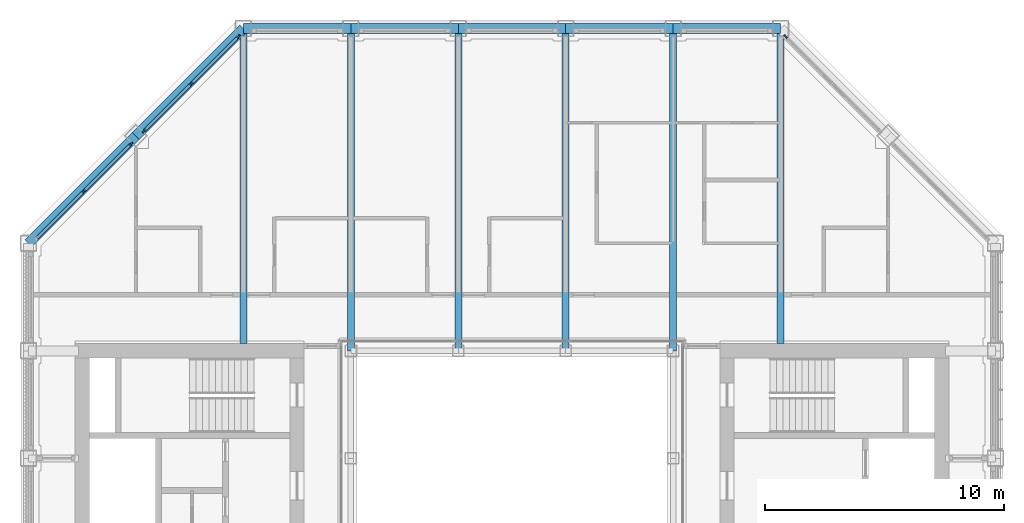
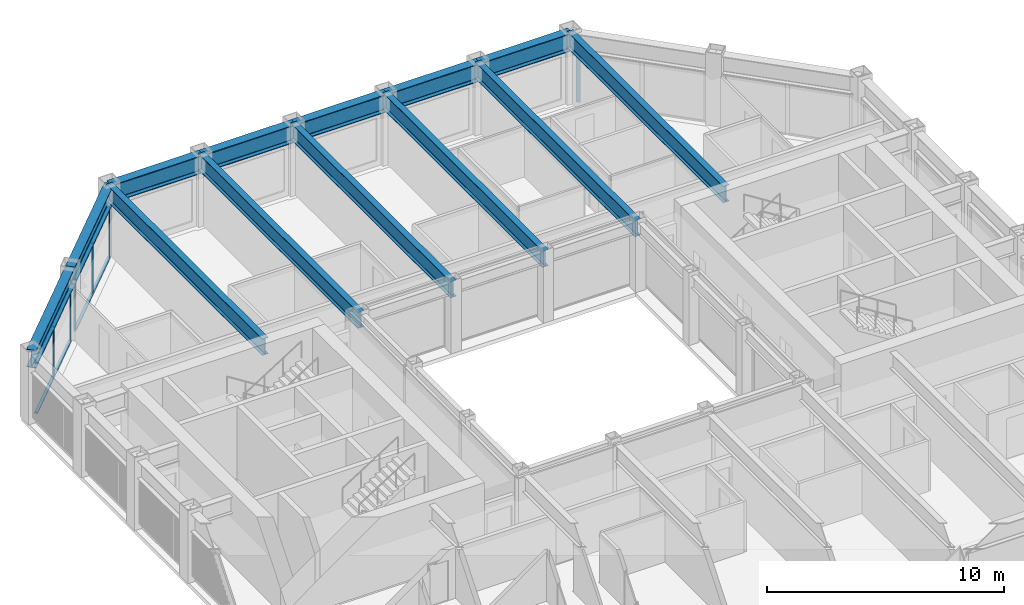
# One storey, part 6 of 18: 14 members, 13 beams, 3 elements without a shape of their own.
"""IFC4 building model written with IfcOpenShell, lengths in metres."""

from ifc_helpers import new_model, si_unit, direction, frame, origin, origin_2d, place, context, subcontext, project, spatial, rectangle, i_section, extrude, material, material_profile, profile_set, type_object, element, aggregate, save


model = new_model("IFC4")

# Units and contexts
model_context = context("Model", 3, precision=1e-05, world=origin(), true_north=direction((0.0, 1.0)))
body_context = subcontext(model_context, "Body", "Model", "MODEL_VIEW")
ifc_project = project(units=[si_unit("LENGTHUNIT", "METRE"), si_unit("AREAUNIT", "SQUARE_METRE"), si_unit("VOLUMEUNIT", "CUBIC_METRE"), si_unit("PLANEANGLEUNIT", "RADIAN"), si_unit("MASSUNIT", "GRAM", prefix="KILO")], contexts=[model_context])

# Site, building, storey
site_placement = place(None, origin())
site = spatial("IfcSite", under=ifc_project, at=site_placement, CompositionType="ELEMENT")
building_placement = place(site_placement, origin())
building = spatial("IfcBuilding", under=site, at=building_placement, Name="Msasa Ring Tower", CompositionType="ELEMENT")
storey_placement = place(building_placement, frame((0.0, 0.0, 223.300048828125)))
storey = spatial("IfcBuildingStorey", under=building, at=storey_placement, Name="L58", CompositionType="ELEMENT", Elevation=223.300048828125)

# Curtain wall, member
ifc_material_1 = material(Name="Aluminium curtain wall with clear glass", Category="aluminium")
curtain_wall_type = type_object("IfcCurtainWallType", Name="CW-C CHAMFER CORNER CURTAIN WALL", PredefinedType="NOTDEFINED", material=ifc_material_1)
curtain_wall_1_placement = place(storey_placement, origin())
curtain_wall_1 = element("IfcCurtainWall", 1, at=curtain_wall_1_placement, inside=storey, type_object=curtain_wall_type, Name="Chamfer corner curtain wall NE L58", PredefinedType="NOTDEFINED")
ifc_material_2 = material(Name="Aluminium mullion", Category="aluminium")
ifc_material_profile_1 = material_profile(ifc_material_2, rectangle(XDim=0.06494140625, YDim=0.179931640625, at=origin_2d()), Name="AL 65x180")
ifc_profile_set_1 = profile_set([ifc_material_profile_1], Name="Aluminium mullion")
member_type_1 = type_object("IfcMemberType", Name="CW-C MULLION 65x180", PredefinedType="MULLION", material=ifc_profile_set_1)
member_1_placement = place(storey_placement, frame((11.453369140625, 19.9052734375, 0.0), z_axis=(0.0, 0.0, 1.0), x_axis=(-0.707106781187, -0.707106781187, 0.0)))
member_1 = element("IfcMember", 2, at=member_1_placement, type_object=member_type_1, Name="CW-C mullion 3", PredefinedType="MULLION", context=body_context, shape_type="SweptSolid", body=[
    extrude(rectangle(XDim=0.06494140625, YDim=0.179931640625, at=origin_2d()), origin(), (0.0, 0.0, 1.0), 2.62890625),
])
aggregate(curtain_wall_1, [member_1])

# Curtain wall, members
curtain_wall_2_placement = place(storey_placement, origin())
curtain_wall_2 = element("IfcCurtainWall", 3, at=curtain_wall_2_placement, inside=storey, type_object=curtain_wall_type, Name="Chamfer corner curtain wall NW L58", PredefinedType="NOTDEFINED")
member_2_placement = place(storey_placement, frame((-15.953369140625, 15.4052734375, 0.0), z_axis=(0.0, 0.0, 1.0), x_axis=(0.707106781187, -0.707106781187, 0.0)))
member_2 = element("IfcMember", 4, at=member_2_placement, type_object=member_type_1, Name="CW-C mullion 1", PredefinedType="MULLION", context=body_context, shape_type="SweptSolid", body=[
    extrude(rectangle(XDim=0.06494140625, YDim=0.179931640625, at=origin_2d()), origin(), (0.0, 0.0, 1.0), 2.62890625),
])
member_3_placement = place(storey_placement, frame((-17.92919921875, 13.42919921875, 0.0), z_axis=(0.0, 0.0, 1.0), x_axis=(0.707106781187, -0.707106781187, 0.0)))
member_3 = element("IfcMember", 5, at=member_3_placement, type_object=member_type_1, Name="CW-C mullion 2", PredefinedType="MULLION", context=body_context, shape_type="SweptSolid", body=[
    extrude(rectangle(XDim=0.06494140625, YDim=0.179931640625, at=origin_2d()), origin(), (0.0, 0.0, 1.0), 2.62890625),
])

curtain_wall_3_placement = place(storey_placement, origin())
curtain_wall_3 = element("IfcCurtainWall", 6, at=curtain_wall_3_placement, inside=storey, type_object=curtain_wall_type, Name="Chamfer corner curtain wall NW L58", PredefinedType="NOTDEFINED")
member_4_placement = place(storey_placement, frame((-11.453369140625, 19.9052734375, 0.0), z_axis=(0.0, 0.0, 1.0), x_axis=(0.707106781187, -0.707106781187, 0.0)))
member_4 = element("IfcMember", 7, at=member_4_placement, type_object=member_type_1, Name="CW-C mullion 1", PredefinedType="MULLION", context=body_context, shape_type="SweptSolid", body=[
    extrude(rectangle(XDim=0.06494140625, YDim=0.179931640625, at=origin_2d()), origin(), (0.0, 0.0, 1.0), 2.62890625),
])
member_5_placement = place(storey_placement, frame((-13.42919921875, 17.92919921875, 0.0), z_axis=(0.0, 0.0, 1.0), x_axis=(0.707106781187, -0.707106781187, 0.0)))
member_5 = element("IfcMember", 8, at=member_5_placement, type_object=member_type_1, Name="CW-C mullion 2", PredefinedType="MULLION", context=body_context, shape_type="SweptSolid", body=[
    extrude(rectangle(XDim=0.06494140625, YDim=0.179931640625, at=origin_2d()), origin(), (0.0, 0.0, 1.0), 2.62890625),
])
member_6_placement = place(storey_placement, frame((-15.4052734375, 15.953369140625, 0.0), z_axis=(0.0, 0.0, 1.0), x_axis=(0.707106781187, -0.707106781187, 0.0)))
member_6 = element("IfcMember", 9, at=member_6_placement, type_object=member_type_1, Name="CW-C mullion 3", PredefinedType="MULLION", context=body_context, shape_type="SweptSolid", body=[
    extrude(rectangle(XDim=0.06494140625, YDim=0.179931640625, at=origin_2d()), origin(), (0.0, 0.0, 1.0), 2.62890625),
])

# Member
ifc_material_3 = material(Name="Aluminium transom", Category="aluminium")
ifc_material_profile_2 = material_profile(ifc_material_3, rectangle(XDim=0.139892578125, YDim=0.06494140625, at=origin_2d()), Name="AL 65x140")
ifc_profile_set_2 = profile_set([ifc_material_profile_2], Name="Aluminium transom")
member_type_2 = type_object("IfcMemberType", Name="CW-C TRANSOM 65x140", PredefinedType="USERDEFINED", material=ifc_profile_set_2)
member_7_placement = place(storey_placement, frame((-15.976318359375, 15.38232421875, 0.032470703125), z_axis=(-0.707106781187, -0.707106781187, 0.0), x_axis=(0.707106781187, -0.707106781187, 0.0)))
member_7 = element("IfcMember", 10, at=member_7_placement, type_object=member_type_2, Name="CW-C transom 1.1", ObjectType="TRANSOM", PredefinedType="USERDEFINED", context=body_context, shape_type="SweptSolid", body=[
    extrude(rectangle(XDim=0.139892578125, YDim=0.06494140625, at=origin_2d()), origin(), (0.0, 0.0, 1.0), 2.729248046875),
])

member_8_placement = place(storey_placement, frame((-15.976318359375, 15.38232421875, 2.596435546875), z_axis=(-0.707106781187, -0.707106781187, 0.0), x_axis=(0.707106781187, -0.707106781187, 0.0)))
member_8 = element("IfcMember", 11, at=member_8_placement, type_object=member_type_2, Name="CW-C transom 1.2", ObjectType="TRANSOM", PredefinedType="USERDEFINED", context=body_context, shape_type="SweptSolid", body=[
    extrude(rectangle(XDim=0.139892578125, YDim=0.06494140625, at=origin_2d()), origin(), (0.0, 0.0, 1.0), 2.729248046875),
])

member_9_placement = place(storey_placement, frame((-17.952392578125, 13.40625, 0.032470703125), z_axis=(-0.707106781187, -0.707106781187, 0.0), x_axis=(0.707106781187, -0.707106781187, 0.0)))
member_9 = element("IfcMember", 12, at=member_9_placement, type_object=member_type_2, Name="CW-C transom 2.1", ObjectType="TRANSOM", PredefinedType="USERDEFINED", context=body_context, shape_type="SweptSolid", body=[
    extrude(rectangle(XDim=0.139892578125, YDim=0.06494140625, at=origin_2d()), origin(), (0.0, 0.0, 1.0), 2.729248046875),
])

member_10_placement = place(storey_placement, frame((-17.952392578125, 13.40625, 2.596435546875), z_axis=(-0.707106781187, -0.707106781187, 0.0), x_axis=(0.707106781187, -0.707106781187, 0.0)))
member_10 = element("IfcMember", 13, at=member_10_placement, type_object=member_type_2, Name="CW-C transom 2.2", ObjectType="TRANSOM", PredefinedType="USERDEFINED", context=body_context, shape_type="SweptSolid", body=[
    extrude(rectangle(XDim=0.139892578125, YDim=0.06494140625, at=origin_2d()), origin(), (0.0, 0.0, 1.0), 2.729248046875),
])

aggregate(curtain_wall_2, [member_2, member_3, member_7, member_8, member_9, member_10])

member_11_placement = place(storey_placement, frame((-11.476318359375, 19.88232421875, 0.032470703125), z_axis=(-0.707106781187, -0.707106781187, 0.0), x_axis=(0.707106781187, -0.707106781187, 0.0)))
member_11 = element("IfcMember", 14, at=member_11_placement, type_object=member_type_2, Name="CW-C transom 1.1", ObjectType="TRANSOM", PredefinedType="USERDEFINED", context=body_context, shape_type="SweptSolid", body=[
    extrude(rectangle(XDim=0.139892578125, YDim=0.06494140625, at=origin_2d()), origin(), (0.0, 0.0, 1.0), 2.729248046875),
])

member_12_placement = place(storey_placement, frame((-11.476318359375, 19.88232421875, 2.596435546875), z_axis=(-0.707106781187, -0.707106781187, 0.0), x_axis=(0.707106781187, -0.707106781187, 0.0)))
member_12 = element("IfcMember", 15, at=member_12_placement, type_object=member_type_2, Name="CW-C transom 1.2", ObjectType="TRANSOM", PredefinedType="USERDEFINED", context=body_context, shape_type="SweptSolid", body=[
    extrude(rectangle(XDim=0.139892578125, YDim=0.06494140625, at=origin_2d()), origin(), (0.0, 0.0, 1.0), 2.729248046875),
])

member_13_placement = place(storey_placement, frame((-13.452392578125, 17.90625, 0.032470703125), z_axis=(-0.707106781187, -0.707106781187, 0.0), x_axis=(0.707106781187, -0.707106781187, 0.0)))
member_13 = element("IfcMember", 16, at=member_13_placement, type_object=member_type_2, Name="CW-C transom 2.1", ObjectType="TRANSOM", PredefinedType="USERDEFINED", context=body_context, shape_type="SweptSolid", body=[
    extrude(rectangle(XDim=0.139892578125, YDim=0.06494140625, at=origin_2d()), origin(), (0.0, 0.0, 1.0), 2.729248046875),
])

member_14_placement = place(storey_placement, frame((-13.452392578125, 17.90625, 2.596435546875), z_axis=(-0.707106781187, -0.707106781187, 0.0), x_axis=(0.707106781187, -0.707106781187, 0.0)))
member_14 = element("IfcMember", 17, at=member_14_placement, type_object=member_type_2, Name="CW-C transom 2.2", ObjectType="TRANSOM", PredefinedType="USERDEFINED", context=body_context, shape_type="SweptSolid", body=[
    extrude(rectangle(XDim=0.139892578125, YDim=0.06494140625, at=origin_2d()), origin(), (0.0, 0.0, 1.0), 2.729248046875),
])

aggregate(curtain_wall_3, [member_4, member_5, member_6, member_11, member_12, member_13, member_14])

# Beams
ifc_material_4 = material(Name="Steel S355", Category="steel")
ifc_material_profile_3 = material_profile(ifc_material_4, i_section(OverallWidth=0.293701171875, OverallDepth=0.850830078125, WebThickness=0.01611328125, FlangeThickness=0.02685546875, FilletRadius=0.017822265625, at=origin_2d()), Name="UB 838x292x226")
ifc_profile_set_3 = profile_set([ifc_material_profile_3], Name="Steel S355")
beam_type_1 = type_object("IfcBeamType", Name="FB5 UB 838x292x226", PredefinedType="BEAM", material=ifc_profile_set_3)
beam_1_placement = place(storey_placement, frame((-11.25, 20.25, 3.12451171875), z_axis=(0.0, -1.0, 0.0), x_axis=(1.0, 0.0, 0.0)))
element("IfcBeam", 18, at=beam_1_placement, inside=storey, type_object=beam_type_1, Name="Floor beam N-11.25 under L59", PredefinedType="BEAM", context=body_context, shape_type="SweptSolid", body=[
    extrude(i_section(OverallWidth=0.293701171875, OverallDepth=0.850830078125, WebThickness=0.01611328125, FlangeThickness=0.02685546875, FilletRadius=0.017822265625, at=origin_2d()), origin(), (0.0, 0.0, 1.0), 13.199951171875),
])
for number, where, z_axis, x_axis, name in (
    (19, (-6.75, 20.25, 3.12451171875), (0.0, -1.0, 0.0), (1.0, 0.0, 0.0), "Floor beam N-6.75 under L59"),
    (20, (-2.25, 20.25, 3.12451171875), (0.0, -1.0, 0.0), (1.0, 0.0, 0.0), "Floor beam N-2.25 under L59"),
    (21, (2.25, 20.25, 3.12451171875), (0.0, -1.0, 0.0), (1.0, 0.0, 0.0), "Floor beam N+2.25 under L59"),
    (22, (6.75, 20.25, 3.12451171875), (0.0, -1.0, 0.0), (1.0, 0.0, 0.0), "Floor beam N+6.75 under L59"),
):
    element("IfcBeam", number, at=place(storey_placement, frame(where, z_axis=z_axis, x_axis=x_axis)), inside=storey, type_object=beam_type_1, Name=name, PredefinedType="BEAM", context=body_context, shape_type="SweptSolid", body=[
        extrude(i_section(OverallWidth=0.293701171875, OverallDepth=0.850830078125, WebThickness=0.01611328125, FlangeThickness=0.02685546875, FilletRadius=0.017822265625, at=origin_2d()), origin(), (0.0, 0.0, 1.0), 13.5),
    ])
beam_2_placement = place(storey_placement, frame((11.25, 20.25, 3.12451171875), z_axis=(0.0, -1.0, 0.0), x_axis=(1.0, 0.0, 0.0)))
element("IfcBeam", 23, at=beam_2_placement, inside=storey, type_object=beam_type_1, Name="Floor beam N+11.25 under L59", PredefinedType="BEAM", context=body_context, shape_type="SweptSolid", body=[
    extrude(i_section(OverallWidth=0.293701171875, OverallDepth=0.850830078125, WebThickness=0.01611328125, FlangeThickness=0.02685546875, FilletRadius=0.017822265625, at=origin_2d()), origin(), (0.0, 0.0, 1.0), 13.199951171875),
])
ifc_material_5 = material(Name="Steel S355", Category="steel")
ifc_material_profile_4 = material_profile(ifc_material_5, i_section(OverallWidth=0.42041015625, OverallDepth=0.9208984375, WebThickness=0.021484375, FlangeThickness=0.03662109375, FilletRadius=0.024169921875, at=origin_2d()), Name="UB 914x419x388")
ifc_profile_set_4 = profile_set([ifc_material_profile_4], Name="Steel S355")
beam_type_2 = type_object("IfcBeamType", Name="SB1 UB 914x419x388", PredefinedType="SPANDREL", material=ifc_profile_set_4)
for number, where, z_axis, x_axis, name in (
    (24, (11.25, 20.25, 3.08935546875), (-1.0, 0.0, 0.0), (0.0, -1.0, 0.0), "Spandrel N+11.25 to N+6.75 under L59"),
    (25, (6.75, 20.25, 3.08935546875), (-1.0, 0.0, 0.0), (0.0, -1.0, 0.0), "Spandrel N+6.75 to N+2.25 under L59"),
    (26, (2.25, 20.25, 3.08935546875), (-1.0, 0.0, 0.0), (0.0, -1.0, 0.0), "Spandrel N+2.25 to N-2.25 under L59"),
    (27, (-2.25, 20.25, 3.08935546875), (-1.0, 0.0, 0.0), (0.0, -1.0, 0.0), "Spandrel N-2.25 to N-6.75 under L59"),
    (28, (-6.75, 20.25, 3.08935546875), (-1.0, 0.0, 0.0), (0.0, -1.0, 0.0), "Spandrel N-6.75 to N-11.25 under L59"),
):
    element("IfcBeam", number, at=place(storey_placement, frame(where, z_axis=z_axis, x_axis=x_axis)), inside=storey, type_object=beam_type_2, Name=name, PredefinedType="SPANDREL", context=body_context, shape_type="SweptSolid", body=[
        extrude(i_section(OverallWidth=0.42041015625, OverallDepth=0.9208984375, WebThickness=0.021484375, FlangeThickness=0.03662109375, FilletRadius=0.024169921875, at=origin_2d()), origin(), (0.0, 0.0, 1.0), 4.5),
    ])
for number, where, z_axis, x_axis, name in (
    (29, (-11.25, 20.25, 3.08935546875), (-0.707106781187, -0.707106781187, 0.0), (0.707106781187, -0.707106781187, 0.0), "Spandrel N-11.25 to NW under L59"),
    (30, (-15.75, 15.75, 3.08935546875), (-0.707106781187, -0.707106781187, 0.0), (0.707106781187, -0.707106781187, 0.0), "Spandrel NW to W+11.25 under L59"),
):
    element("IfcBeam", number, at=place(storey_placement, frame(where, z_axis=z_axis, x_axis=x_axis)), inside=storey, type_object=beam_type_2, Name=name, PredefinedType="SPANDREL", context=body_context, shape_type="SweptSolid", body=[
        extrude(i_section(OverallWidth=0.42041015625, OverallDepth=0.9208984375, WebThickness=0.021484375, FlangeThickness=0.03662109375, FilletRadius=0.024169921875, at=origin_2d()), origin(), (0.0, 0.0, 1.0), 6.364013671875),
    ])

save(model, "model.ifc")
